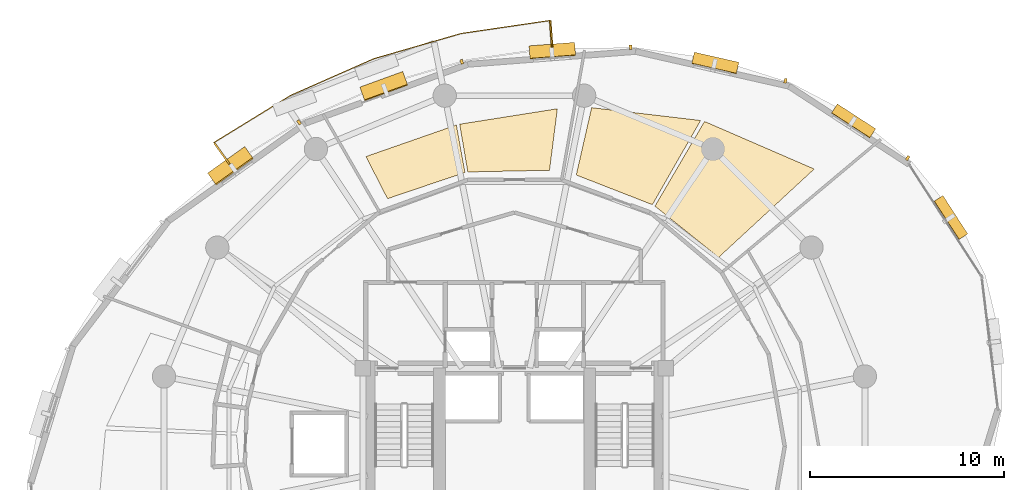
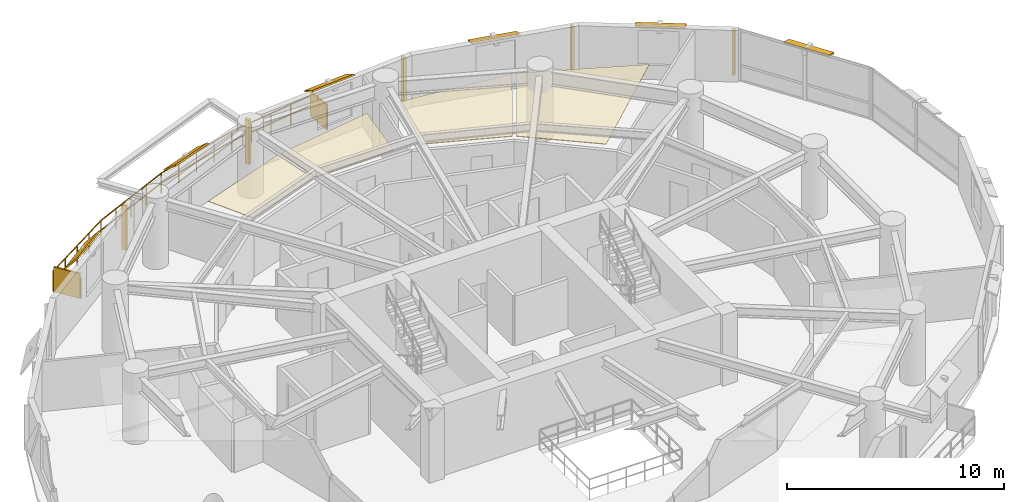
# One storey, part 15 of 15: 13 shading devices, 4 coverings, 1 railing.
"""IFC4 building model written with IfcOpenShell, lengths in metres."""

import ifcopenshell
import ifcopenshell.guid

model = None  # the IFC model being written
_history = None  # IfcOwnerHistory: only IFC2X3 demands one
_inside = {}  # id of a spatial element -> (the spatial element, [elements in it])
_under = {}  # id of a project, library or spatial element -> (it, [spatial elements below it])
_declared = {}  # id of a project -> (the project, [libraries it declares])
_typed = {}  # id of a type object -> (the type object, [elements of that type])
_made_of = {}  # id of a material, layer set ... -> (it, [elements and type objects made of it])


def new_model(schema):
    """Start an empty IFC model of exactly this schema.

    Asked for "IFC4X3", IfcOpenShell would pick the latest addendum, in which some entities
    have other attributes; the version numbers below select the first issue.
    IFC2X3 requires an IfcOwnerHistory on every rooted entity: one is made here for all.
    """
    global model, _history
    if schema == "IFC4X3":
        model = ifcopenshell.file(schema_version=(4, 3, 0, 0))
    else:
        model = ifcopenshell.file(schema=schema)
    _inside.clear()
    _under.clear()
    _declared.clear()
    _typed.clear()
    _made_of.clear()
    _history = None
    if model.schema == "IFC2X3":
        org = make("IfcOrganization", Name="unknown")
        user = make(
            "IfcPersonAndOrganization",
            ThePerson=make("IfcPerson", FamilyName="unknown"),
            TheOrganization=org,
        )
        app = make(
            "IfcApplication",
            ApplicationDeveloper=org,
            Version="unknown",
            ApplicationFullName="unknown",
            ApplicationIdentifier="unknown",
        )
        _history = make(
            "IfcOwnerHistory",
            OwningUser=user,
            OwningApplication=app,
            ChangeAction="ADDED",
            CreationDate=0,
        )
    return model


def make(cls, **values):
    """One entity of the class cls with the attributes given. An attribute that is None is left unset."""
    return model.create_entity(
        cls, **{name: value for name, value in values.items() if value is not None}
    )


def rooted(cls, **values):
    """An entity with a GlobalId (a new one), such as an element, a storey or a relation."""
    return make(cls, GlobalId=ifcopenshell.guid.new(), OwnerHistory=_history, **values)


def si_unit(unit_type, name, prefix=None):
    """IfcSIUnit, for example si_unit("LENGTHUNIT", "METRE", prefix="MILLI")."""
    return make("IfcSIUnit", UnitType=unit_type, Prefix=prefix, Name=name)


def assignment(units):
    """IfcUnitAssignment: the units of a project."""
    return None if units is None else make("IfcUnitAssignment", Units=units)


def point(xyz):
    """IfcCartesianPoint."""
    return None if xyz is None else make("IfcCartesianPoint", Coordinates=xyz)


def direction(xyz):
    """IfcDirection."""
    return None if xyz is None else make("IfcDirection", DirectionRatios=xyz)


def frame(location, z_axis=None, x_axis=None):
    """IfcAxis2Placement3D, a coordinate frame: its origin and axes. An axis left out is left unset."""
    return make(
        "IfcAxis2Placement3D",
        Location=point(location),
        Axis=direction(z_axis),
        RefDirection=direction(x_axis),
    )


def frame_2d(location, x_axis=None):
    """IfcAxis2Placement2D, a coordinate frame in the plane: its origin and x axis."""
    return make(
        "IfcAxis2Placement2D", Location=point(location), RefDirection=direction(x_axis)
    )


def origin():
    """The frame at (0, 0, 0) with its axes left unset."""
    return frame((0.0, 0.0, 0.0))


def origin_2d():
    """The frame at (0, 0) in the plane with its x axis left unset."""
    return frame_2d((0.0, 0.0))


def place(relative_to, where):
    """IfcLocalPlacement: puts the frame where relative to a parent placement (None: the world)."""
    return make(
        "IfcLocalPlacement", PlacementRelTo=relative_to, RelativePlacement=where
    )


def context(
    kind, dimensions, precision=None, world=None, true_north=None, identifier=None
):
    """IfcGeometricRepresentationContext, for example the 3D "Model" context."""
    return make(
        "IfcGeometricRepresentationContext",
        ContextIdentifier=identifier,
        ContextType=kind,
        CoordinateSpaceDimension=dimensions,
        Precision=precision,
        WorldCoordinateSystem=world,
        TrueNorth=true_north,
    )


def subcontext(parent, identifier, kind, view, scale=None):
    """IfcGeometricRepresentationSubContext, for example "Body" below "Model"."""
    return make(
        "IfcGeometricRepresentationSubContext",
        ContextIdentifier=identifier,
        ContextType=kind,
        ParentContext=parent,
        TargetScale=scale,
        TargetView=view,
    )


def project(units=None, contexts=None):
    """IfcProject with its units and contexts."""
    return rooted(
        "IfcProject",
        Name="project",
        RepresentationContexts=contexts,
        UnitsInContext=assignment(units),
    )


def spatial(cls, under=None, at=None, **own):
    """A site, building, storey or space (cls), placed at a placement, below another one or the project."""
    s = rooted(cls, ObjectPlacement=at, **own)
    if under is not None:
        _under.setdefault(under.id(), (under, []))[1].append(s)
    return s


def polyline(points):
    """IfcPolyline through the points."""
    return make("IfcPolyline", Points=[point(p) for p in points])


def profile(cls, at=None, kind="AREA", **sizes):
    """A parametric profile (cls). Its sizes go by their IFC names, for example OverallWidth=200.0."""
    return make(cls, ProfileType=kind, Position=at, **sizes)


def rectangle(**sizes):
    """IfcRectangleProfileDef."""
    return profile("IfcRectangleProfileDef", **sizes)


def outline(outer, holes=None, kind="AREA"):
    """IfcArbitraryClosedProfileDef: a profile drawn as a closed curve; with holes, ...WithVoids."""
    if holes is None:
        return make("IfcArbitraryClosedProfileDef", ProfileType=kind, OuterCurve=outer)
    return make(
        "IfcArbitraryProfileDefWithVoids",
        ProfileType=kind,
        OuterCurve=outer,
        InnerCurves=holes,
    )


def extrude(swept, where, along, depth):
    """IfcExtrudedAreaSolid: the profile swept, set in the frame where, extruded along a direction by depth."""
    return make(
        "IfcExtrudedAreaSolid",
        SweptArea=swept,
        Position=where,
        ExtrudedDirection=direction(along),
        Depth=depth,
    )


def shape(context_of_items, identifier, shape_type, items):
    """IfcShapeRepresentation: the items that make up one representation, for example the "Body"."""
    return make(
        "IfcShapeRepresentation",
        ContextOfItems=context_of_items,
        RepresentationIdentifier=identifier,
        RepresentationType=shape_type,
        Items=items,
    )


def material(Name=None, Category=None):
    """IfcMaterial."""
    return make("IfcMaterial", Name=Name, Category=Category)


def layer(
    of_material, thickness, ventilated=None, Name=None, Category=None, Priority=None
):
    """IfcMaterialLayer: one layer of a wall or slab, of a material (None: an air gap)."""
    return make(
        "IfcMaterialLayer",
        Material=of_material,
        LayerThickness=thickness,
        IsVentilated=ventilated,
        Name=Name,
        Category=Category,
        Priority=Priority,
    )


def layer_set(layers, Name=None):
    """IfcMaterialLayerSet."""
    return make("IfcMaterialLayerSet", MaterialLayers=layers, LayerSetName=Name)


def made_of(thing, what):
    """Note that an element or type object is made of a material, layer set ...; save() writes the relation."""
    if what is not None:
        _made_of.setdefault(what.id(), (what, []))[1].append(thing)
    return thing


def type_object(cls, material=None, **own):
    """A type object (cls), such as IfcWallType, which elements share."""
    return made_of(rooted(cls, **own), material)


def element(
    cls,
    number,
    at=None,
    inside=None,
    cuts=None,
    type_object=None,
    material=None,
    context=None,
    identifier="Body",
    shape_type=None,
    held_by="IfcProductDefinitionShape",
    body=None,
    shapes=None,
    **own,
):
    """One element of the class cls, such as IfcWall. Its Tag is "e" and its number.

    at: its placement. inside: the storey or other place that contains it. cuts: it is an
    opening in that element (IfcRelVoidsElement). A single representation is given by context,
    identifier, shape_type and body (its items); several are given by shapes. held_by: the class
    of the entity that holds the representations. save() writes the other relations.
    """
    e = rooted(cls, Tag="e%d" % number, ObjectPlacement=at, **own)
    if body is not None:
        shapes = [shape(context, identifier, shape_type, body)]
    if shapes is not None:
        e.Representation = make(held_by, Representations=shapes)
    if inside is not None:
        _inside.setdefault(inside.id(), (inside, []))[1].append(e)
    if cuts is not None:
        rooted(
            "IfcRelVoidsElement", RelatingBuildingElement=cuts, RelatedOpeningElement=e
        )
    if type_object is not None:
        _typed.setdefault(type_object.id(), (type_object, []))[1].append(e)
    return made_of(e, material)


def aggregate(whole, parts):
    """IfcRelAggregates: a whole, such as a stair, and the parts it consists of."""
    return rooted("IfcRelAggregates", RelatingObject=whole, RelatedObjects=parts)


def save(model, path):
    """Write the relations noted so far, then the file.

    IfcRelAggregates (storeys below a building ...), IfcRelContainedInSpatialStructure (elements
    in a storey), IfcRelDefinesByType, IfcRelAssociatesMaterial and IfcRelDeclares: one each for
    every whole, place, type object, material and project.
    """
    for whole, parts in _under.values():
        aggregate(whole, parts)
    for where, things in _inside.values():
        rooted(
            "IfcRelContainedInSpatialStructure",
            RelatedElements=things,
            RelatingStructure=where,
        )
    for kind, things in _typed.values():
        rooted("IfcRelDefinesByType", RelatedObjects=things, RelatingType=kind)
    for what, things in _made_of.values():
        rooted("IfcRelAssociatesMaterial", RelatedObjects=things, RelatingMaterial=what)
    for by, libraries in _declared.values():
        rooted("IfcRelDeclares", RelatingContext=by, RelatedDefinitions=libraries)
    model.write(path)


model = new_model("IFC4")

# Units and contexts
model_context = context("Model", 3, precision=1e-05, world=origin(), true_north=direction((0.0, 1.0)))
body_context = subcontext(model_context, "Body", "Model", "MODEL_VIEW")
ifc_project = project(units=[si_unit("LENGTHUNIT", "METRE"), si_unit("AREAUNIT", "SQUARE_METRE"), si_unit("VOLUMEUNIT", "CUBIC_METRE"), si_unit("PLANEANGLEUNIT", "RADIAN"), si_unit("MASSUNIT", "GRAM", prefix="KILO"), si_unit("THERMODYNAMICTEMPERATUREUNIT", "KELVIN"), si_unit("POWERUNIT", "WATT")], contexts=[model_context])

# Site, building, storey
site_placement = place(None, origin())
site = spatial("IfcSite", under=ifc_project, at=site_placement, CompositionType="ELEMENT")
building_placement = place(site_placement, origin())
building = spatial("IfcBuilding", under=site, at=building_placement, Name="Ocrelia Relay Tower", CompositionType="ELEMENT")
storey_placement = place(building_placement, frame((0.0, 0.0, 117.800048828125)))
storey = spatial("IfcBuildingStorey", under=building, at=storey_placement, Name="L27", CompositionType="ELEMENT", Elevation=117.800048828125)

# Coverings
ifc_material_1 = material(Name="Mineral-fiber acoustic ceiling tile", Category="gypsum")
ifc_layer_1 = layer(ifc_material_1, 0.0400390625, Name="Mineral-fiber acoustic ceiling tile")
ifc_layer_set_1 = layer_set([ifc_layer_1], Name="Mineral-fiber acoustic ceiling tile")
covering_type_1 = type_object("IfcCoveringType", Name="COV-CEIL-ACOUSTIC", PredefinedType="CEILING", material=ifc_layer_set_1)
covering_1_placement = place(storey_placement, frame((0.0, 0.0, 2.719970703125)))
element("IfcCovering", 1, at=covering_1_placement, inside=storey, type_object=covering_type_1, Name="L27 Technical Briefing Room Suspended Ceiling 1", PredefinedType="CEILING", context=body_context, shape_type="SweptSolid", body=[
    extrude(outline(polyline([(44.515380859375, 35.720458984375), (49.43701171875, 40.269775390625), (43.789306640625, 42.71875), (41.235595703125, 38.357421875), (44.515380859375, 35.720458984375)])), origin(), (0.0, 0.0, 1.0), 0.0400390625),
])
covering_2_placement = place(storey_placement, frame((0.0, 0.0, 2.719970703125)))
element("IfcCovering", 2, at=covering_2_placement, inside=storey, type_object=covering_type_1, Name="L27 Technical Briefing Room Suspended Ceiling 2", PredefinedType="CEILING", context=body_context, shape_type="SweptSolid", body=[
    extrude(outline(polyline([(41.105712890625, 38.4326171875), (43.584716796875, 42.77001953125), (37.975830078125, 43.4296875), (37.184814453125, 39.96142578125), (41.105712890625, 38.4326171875)])), origin(), (0.0, 0.0, 1.0), 0.0400390625),
])
ifc_material_2 = material(Name="Cleanroom metal-pan acoustic ceiling", Category="aluminium")
ifc_layer_2 = layer(ifc_material_2, 0.0400390625, Name="Cleanroom metal-pan acoustic ceiling")
ifc_layer_set_2 = layer_set([ifc_layer_2], Name="Cleanroom metal-pan acoustic ceiling")
covering_type_2 = type_object("IfcCoveringType", Name="COV-CEIL-CLEAN", PredefinedType="CEILING", material=ifc_layer_set_2)
covering_3_placement = place(storey_placement, frame((0.0, 0.0, 2.719970703125)))
element("IfcCovering", 3, at=covering_3_placement, inside=storey, type_object=covering_type_2, Name="L27 Photonics Testing Studio Suspended Ceiling 1", PredefinedType="CEILING", context=body_context, shape_type="SweptSolid", body=[
    extrude(outline(polyline([(35.80712890625, 40.20556640625), (36.210205078125, 43.373046875), (31.180908203125, 42.5791015625), (31.599609375, 40.117431640625), (35.80712890625, 40.20556640625)])), origin(), (0.0, 0.0, 1.0), 0.0400390625),
])
covering_4_placement = place(storey_placement, frame((0.0, 0.0, 2.719970703125)))
element("IfcCovering", 4, at=covering_4_placement, inside=storey, type_object=covering_type_2, Name="L27 Photonics Testing Studio Suspended Ceiling 2", PredefinedType="CEILING", context=body_context, shape_type="SweptSolid", body=[
    extrude(outline(polyline([(31.451904296875, 40.091552734375), (31.010009765625, 42.53564453125), (26.353271484375, 40.910888671875), (27.465576171875, 38.7421875), (31.451904296875, 40.091552734375)])), origin(), (0.0, 0.0, 1.0), 0.0400390625),
])

# Railing
ifc_material_3 = material(Name="Steel S355 balustrade", Category="steel")
railing_type = type_object("IfcRailingType", Name="RL-EXT-GUARD-1150", PredefinedType="GUARDRAIL", material=ifc_material_3)
railing_placement = place(storey_placement, frame((19.339599609375, 40.503173828125, 0.0)))
element("IfcRailing", 5, at=railing_placement, inside=storey, type_object=railing_type, Name="L27 Loggia Balcony Guard Rail B1", PredefinedType="GUARDRAIL", context=body_context, shape_type="SweptSolid", body=[
    extrude(rectangle(XDim=0.048095703125, YDim=0.048095703125, at=origin_2d()), frame((0.0, 0.0, 1.1259765625), z_axis=(-0.582248799217, 0.81301066156, 0.0), x_axis=(-0.81301066156, -0.582248799217, 0.0)), (0.0, 0.0, 1.0), 1.393310546875),
    extrude(rectangle(XDim=0.048095703125, YDim=0.048095703125, at=origin_2d()), frame((0.0, 0.0, 0.574951171875), z_axis=(-0.582248799217, 0.81301066156, 0.0), x_axis=(-0.81301066156, -0.582248799217, 0.0)), (0.0, 0.0, 1.0), 1.393310546875),
    extrude(rectangle(XDim=0.048095703125, YDim=0.048095703125, at=origin_2d()), frame((-0.811279296875, 1.1328125, 1.1259765625), z_axis=(0.852012843075, 0.523520883285, 0.0), x_axis=(-0.523520883285, 0.852012843075, 0.0)), (0.0, 0.0, 1.0), 2.31591796875),
    extrude(rectangle(XDim=0.048095703125, YDim=0.048095703125, at=origin_2d()), frame((-0.811279296875, 1.1328125, 0.574951171875), z_axis=(0.852012843075, 0.523520883285, 0.0), x_axis=(-0.523520883285, 0.852012843075, 0.0)), (0.0, 0.0, 1.0), 2.31591796875),
    extrude(rectangle(XDim=0.048095703125, YDim=0.048095703125, at=origin_2d()), frame((1.161865234375, 2.34521484375, 1.1259765625), z_axis=(0.851983946003, 0.523567909399, 0.0), x_axis=(-0.523567909399, 0.851983946003, 0.0)), (0.0, 0.0, 1.0), 2.315673828125),
    extrude(rectangle(XDim=0.048095703125, YDim=0.048095703125, at=origin_2d()), frame((1.161865234375, 2.34521484375, 0.574951171875), z_axis=(0.851983946003, 0.523567909399, 0.0), x_axis=(-0.523567909399, 0.851983946003, 0.0)), (0.0, 0.0, 1.0), 2.315673828125),
    extrude(rectangle(XDim=0.048095703125, YDim=0.048095703125, at=origin_2d()), frame((3.134765625, 3.5576171875, 1.1259765625), z_axis=(0.91500952889, 0.403432227321, 0.0), x_axis=(-0.403432227321, 0.91500952889, 0.0)), (0.0, 0.0, 1.0), 4.68212890625),
    extrude(rectangle(XDim=0.048095703125, YDim=0.048095703125, at=origin_2d()), frame((3.134765625, 3.5576171875, 0.574951171875), z_axis=(0.91500952889, 0.403432227321, 0.0), x_axis=(-0.403432227321, 0.91500952889, 0.0)), (0.0, 0.0, 1.0), 4.68212890625),
    extrude(rectangle(XDim=0.048095703125, YDim=0.048095703125, at=origin_2d()), frame((7.4189453125, 5.446533203125, 1.1259765625), z_axis=(0.960738895965, 0.277454093103, 0.0), x_axis=(-0.277454093103, 0.960738895965, 0.0)), (0.0, 0.0, 1.0), 4.68212890625),
    extrude(rectangle(XDim=0.048095703125, YDim=0.048095703125, at=origin_2d()), frame((7.4189453125, 5.446533203125, 0.574951171875), z_axis=(0.960738895965, 0.277454093103, 0.0), x_axis=(-0.277454093103, 0.960738895965, 0.0)), (0.0, 0.0, 1.0), 4.68212890625),
    extrude(rectangle(XDim=0.048095703125, YDim=0.048095703125, at=origin_2d()), frame((11.917236328125, 6.74560546875, 1.1259765625), z_axis=(0.989454432254, 0.144844490722, 0.0), x_axis=(-0.144844490722, 0.989454432254, 0.0)), (0.0, 0.0, 1.0), 2.31591796875),
    extrude(rectangle(XDim=0.048095703125, YDim=0.048095703125, at=origin_2d()), frame((11.917236328125, 6.74560546875, 0.574951171875), z_axis=(0.989454432254, 0.144844490722, 0.0), x_axis=(-0.144844490722, 0.989454432254, 0.0)), (0.0, 0.0, 1.0), 2.31591796875),
    extrude(rectangle(XDim=0.048095703125, YDim=0.048095703125, at=origin_2d()), frame((14.208740234375, 7.0810546875, 1.1259765625), z_axis=(0.989452220244, 0.144859600492, 0.0), x_axis=(-0.144859600492, 0.989452220244, 0.0)), (0.0, 0.0, 1.0), 2.315673828125),
    extrude(rectangle(XDim=0.048095703125, YDim=0.048095703125, at=origin_2d()), frame((14.208740234375, 7.0810546875, 0.574951171875), z_axis=(0.989452220244, 0.144859600492, 0.0), x_axis=(-0.144859600492, 0.989452220244, 0.0)), (0.0, 0.0, 1.0), 2.315673828125),
    extrude(rectangle(XDim=0.048095703125, YDim=0.048095703125, at=origin_2d()), frame((16.5, 7.41650390625, 1.1259765625), z_axis=(0.074994679968, -0.997183933874, 0.0), x_axis=(0.997183933874, 0.074994679968, 0.0)), (0.0, 0.0, 1.0), 1.393310546875),
    extrude(rectangle(XDim=0.048095703125, YDim=0.048095703125, at=origin_2d()), frame((16.5, 7.41650390625, 0.574951171875), z_axis=(0.074994679968, -0.997183933874, 0.0), x_axis=(0.997183933874, 0.074994679968, 0.0)), (0.0, 0.0, 1.0), 1.393310546875),
    extrude(rectangle(XDim=0.0419921875, YDim=0.0419921875, at=origin_2d()), origin(), (0.0, 0.0, 1.0), 1.101806640625),
    extrude(rectangle(XDim=0.0419921875, YDim=0.0419921875, at=origin_2d()), frame((-0.40576171875, 0.56640625, 0.0)), (0.0, 0.0, 1.0), 1.101806640625),
    extrude(rectangle(XDim=0.0419921875, YDim=0.0419921875, at=origin_2d()), frame((-0.811279296875, 1.1328125, 0.0)), (0.0, 0.0, 1.0), 1.101806640625),
    extrude(rectangle(XDim=0.0419921875, YDim=0.0419921875, at=origin_2d()), frame((0.17529296875, 1.739013671875, 0.0)), (0.0, 0.0, 1.0), 1.101806640625),
    extrude(rectangle(XDim=0.0419921875, YDim=0.0419921875, at=origin_2d()), frame((1.161865234375, 2.34521484375, 0.0)), (0.0, 0.0, 1.0), 1.101806640625),
    extrude(rectangle(XDim=0.0419921875, YDim=0.0419921875, at=origin_2d()), frame((2.1484375, 2.951416015625, 0.0)), (0.0, 0.0, 1.0), 1.101806640625),
    extrude(rectangle(XDim=0.0419921875, YDim=0.0419921875, at=origin_2d()), frame((3.134765625, 3.5576171875, 0.0)), (0.0, 0.0, 1.0), 1.101806640625),
    extrude(rectangle(XDim=0.0419921875, YDim=0.0419921875, at=origin_2d()), frame((4.205810546875, 4.02978515625, 0.0)), (0.0, 0.0, 1.0), 1.101806640625),
    extrude(rectangle(XDim=0.0419921875, YDim=0.0419921875, at=origin_2d()), frame((5.27685546875, 4.501953125, 0.0)), (0.0, 0.0, 1.0), 1.101806640625),
    extrude(rectangle(XDim=0.0419921875, YDim=0.0419921875, at=origin_2d()), frame((6.347900390625, 4.974365234375, 0.0)), (0.0, 0.0, 1.0), 1.101806640625),
    extrude(rectangle(XDim=0.0419921875, YDim=0.0419921875, at=origin_2d()), frame((7.4189453125, 5.446533203125, 0.0)), (0.0, 0.0, 1.0), 1.101806640625),
    extrude(rectangle(XDim=0.0419921875, YDim=0.0419921875, at=origin_2d()), frame((8.54345703125, 5.771240234375, 0.0)), (0.0, 0.0, 1.0), 1.101806640625),
    extrude(rectangle(XDim=0.0419921875, YDim=0.0419921875, at=origin_2d()), frame((9.66796875, 6.09619140625, 0.0)), (0.0, 0.0, 1.0), 1.101806640625),
    extrude(rectangle(XDim=0.0419921875, YDim=0.0419921875, at=origin_2d()), frame((10.792724609375, 6.4208984375, 0.0)), (0.0, 0.0, 1.0), 1.101806640625),
    extrude(rectangle(XDim=0.0419921875, YDim=0.0419921875, at=origin_2d()), frame((11.917236328125, 6.74560546875, 0.0)), (0.0, 0.0, 1.0), 1.101806640625),
    extrude(rectangle(XDim=0.0419921875, YDim=0.0419921875, at=origin_2d()), frame((13.06298828125, 6.913330078125, 0.0)), (0.0, 0.0, 1.0), 1.101806640625),
    extrude(rectangle(XDim=0.0419921875, YDim=0.0419921875, at=origin_2d()), frame((14.208740234375, 7.0810546875, 0.0)), (0.0, 0.0, 1.0), 1.101806640625),
    extrude(rectangle(XDim=0.0419921875, YDim=0.0419921875, at=origin_2d()), frame((15.3544921875, 7.248779296875, 0.0)), (0.0, 0.0, 1.0), 1.101806640625),
    extrude(rectangle(XDim=0.0419921875, YDim=0.0419921875, at=origin_2d()), frame((16.5, 7.41650390625, 0.0)), (0.0, 0.0, 1.0), 1.101806640625),
    extrude(rectangle(XDim=0.0419921875, YDim=0.0419921875, at=origin_2d()), frame((16.55224609375, 6.7216796875, 0.0)), (0.0, 0.0, 1.0), 1.101806640625),
    extrude(rectangle(XDim=0.0419921875, YDim=0.0419921875, at=origin_2d()), frame((16.6044921875, 6.027099609375, 0.0)), (0.0, 0.0, 1.0), 1.101806640625),
])

# Shading devices
ifc_material_4 = material(Name="Perforated oxide terracotta solar screen", Category="masonry")
ifc_layer_3 = layer(ifc_material_4, 0.090087890625, Name="Perforated oxide terracotta solar screen")
ifc_layer_set_3 = layer_set([ifc_layer_3], Name="Perforated oxide terracotta solar screen")
shading_device_type_1 = type_object("IfcShadingDeviceType", Name="SH-BALC-SCREEN", PredefinedType="USERDEFINED", material=ifc_layer_set_3)
for number, where, z_axis, x_axis, name in (
    (6, (35.891845703125, 47.224853515625, 0.0), (0.0, 0.0, 1.0), (-0.07485239248, 0.997194624604, 0.0), "L27 Balcony Perforated Terracotta Screen B1-1"),
    (7, (18.93408203125, 41.069580078125, 0.0), (0.0, 0.0, 1.0), (-0.582228894478, 0.813024916245, 0.0), "L27 Balcony Perforated Terracotta Screen B1-2"),
):
    element("IfcShadingDevice", number, at=place(storey_placement, frame(where, z_axis=z_axis, x_axis=x_axis)), inside=storey, type_object=shading_device_type_1, Name=name, ObjectType="SCREEN", PredefinedType="USERDEFINED", context=body_context, shape_type="SweptSolid", body=[
        extrude(rectangle(XDim=1.340087890625, YDim=0.090087890625, at=origin_2d()), origin(), (0.0, 0.0, 1.0), 1.39990234375),
    ])
ifc_material_5 = material(Name="Extruded oxide terracotta vertical baguette", Category="masonry")
shading_device_type_2 = type_object("IfcShadingDeviceType", Name="SH-TERR-BAGUETTE", PredefinedType="USERDEFINED", material=ifc_material_5)
for number, where, z_axis, x_axis, name in (
    (8, (54.24951171875, 40.8330078125, 0.199951171875), (0.0, 0.0, 1.0), (-0.83838172207, 0.545083560657, 0.0), "L27 Oxide Terracotta Vertical Baguette 02"),
    (9, (47.9521484375, 44.811279296875, 0.199951171875), (0.0, 0.0, 1.0), (-0.975271968475, 0.221008116382, 0.0), "L27 Oxide Terracotta Vertical Baguette 03"),
    (10, (39.9833984375, 46.533935546875, 0.199951171875), (0.0, 0.0, 1.0), (-0.997080877714, -0.076352624688, 0.0), "L27 Oxide Terracotta Vertical Baguette 04"),
    (11, (31.28857421875, 45.794921875, 0.199951171875), (0.0, 0.0, 1.0), (-0.939991290594, -0.341198437287, 0.0), "L27 Oxide Terracotta Vertical Baguette 05"),
    (12, (22.906494140625, 42.675048828125, 0.199951171875), (0.0, 0.0, 1.0), (-0.813895483683, -0.581011309391, 0.0), "L27 Oxide Terracotta Vertical Baguette 06"),
):
    element("IfcShadingDevice", number, at=place(storey_placement, frame(where, z_axis=z_axis, x_axis=x_axis)), inside=storey, type_object=shading_device_type_2, Name=name, ObjectType="BAGUETTE", PredefinedType="USERDEFINED", context=body_context, shape_type="SweptSolid", body=[
        extrude(rectangle(XDim=0.139892578125, YDim=0.239990234375, at=origin_2d()), origin(), (0.0, 0.0, 1.0), 2.5),
    ])
ifc_material_6 = material(Name="Extruded oxide terracotta fin", Category="masonry")
ifc_layer_4 = layer(ifc_material_6, 0.080078125, Name="Extruded oxide terracotta fin")
ifc_layer_set_4 = layer_set([ifc_layer_4], Name="Extruded oxide terracotta fin")
shading_device_type_3 = type_object("IfcShadingDeviceType", Name="SH-VISOR-FIN-MED", PredefinedType="USERDEFINED", material=ifc_layer_set_4)
shading_device_1_placement = place(storey_placement, frame((27.281005859375, 44.510986328125, 2.709228515625), z_axis=(-0.218815923594, 0.60283119717, 0.767277094211), x_axis=(-0.939991290594, -0.341198437287, 0.0)))
element("IfcShadingDevice", 13, at=shading_device_1_placement, inside=storey, type_object=shading_device_type_3, Name="L27 Canted Terracotta Sun-Visor Fin 05", ObjectType="FIN", PredefinedType="USERDEFINED", context=body_context, shape_type="SweptSolid", body=[
    extrude(rectangle(XDim=2.35009765625, YDim=0.9150390625, at=origin_2d()), origin(), (0.0, 0.0, 1.0), 0.080078125),
])
shading_device_2_placement = place(storey_placement, frame((19.39306640625, 40.408935546875, 2.71435546875), z_axis=(-0.447418245556, 0.626754907331, 0.637961754089), x_axis=(-0.813895483683, -0.581011309391, 0.0)))
element("IfcShadingDevice", 14, at=shading_device_2_placement, inside=storey, type_object=shading_device_type_3, Name="L27 Canted Terracotta Sun-Visor Fin 06", ObjectType="FIN", PredefinedType="USERDEFINED", context=body_context, shape_type="SweptSolid", body=[
    extrude(rectangle(XDim=2.35009765625, YDim=1.089111328125, at=origin_2d()), origin(), (0.0, 0.0, 1.0), 0.080078125),
])
ifc_layer_5 = layer(ifc_material_6, 0.080078125, Name="Extruded oxide terracotta fin")
ifc_layer_set_5 = layer_set([ifc_layer_5], Name="Extruded oxide terracotta fin")
shading_device_type_4 = type_object("IfcShadingDeviceType", Name="SH-VISOR-FIN-SHAL", PredefinedType="USERDEFINED", material=ifc_layer_set_5)
shading_device_3_placement = place(storey_placement, frame((56.462158203125, 37.7607421875, 2.701904296875), z_axis=(0.259818563709, 0.168207616187, 0.950894585014), x_axis=(-0.543455591745, 0.839437918968, 0.0)))
element("IfcShadingDevice", 15, at=shading_device_3_placement, inside=storey, type_object=shading_device_type_4, Name="L27 Canted Terracotta Sun-Visor Fin 01", ObjectType="FIN", PredefinedType="USERDEFINED", context=body_context, shape_type="SweptSolid", body=[
    extrude(rectangle(XDim=2.35009765625, YDim=0.550048828125, at=origin_2d()), origin(), (0.0, 0.0, 1.0), 0.080078125),
])
shading_device_4_placement = place(storey_placement, frame((51.453857421875, 42.73193359375, 2.7021484375), z_axis=(0.179978373996, 0.276821005103, 0.943916265369), x_axis=(-0.83838172207, 0.545083560657, 0.0)))
element("IfcShadingDevice", 16, at=shading_device_4_placement, inside=storey, type_object=shading_device_type_4, Name="L27 Canted Terracotta Sun-Visor Fin 02", ObjectType="FIN", PredefinedType="USERDEFINED", context=body_context, shape_type="SweptSolid", body=[
    extrude(rectangle(XDim=2.35009765625, YDim=0.571044921875, at=origin_2d()), origin(), (0.0, 0.0, 1.0), 0.080078125),
])
shading_device_5_placement = place(storey_placement, frame((44.3408203125, 45.711669921875, 2.703125), z_axis=(0.086070612144, 0.379815260668, 0.921049519564), x_axis=(-0.975271968475, 0.221008116382, 0.0)))
element("IfcShadingDevice", 17, at=shading_device_5_placement, inside=storey, type_object=shading_device_type_4, Name="L27 Canted Terracotta Sun-Visor Fin 03", ObjectType="FIN", PredefinedType="USERDEFINED", context=body_context, shape_type="SweptSolid", body=[
    extrude(rectangle(XDim=2.35009765625, YDim=0.632080078125, at=origin_2d()), origin(), (0.0, 0.0, 1.0), 0.080078125),
])
shading_device_6_placement = place(storey_placement, frame((35.953125, 46.339599609375, 2.705322265625), z_axis=(-0.037979952772, 0.49597619991, 0.867505119472), x_axis=(-0.997080877714, -0.076352624688, 0.0)))
element("IfcShadingDevice", 18, at=shading_device_6_placement, inside=storey, type_object=shading_device_type_4, Name="L27 Canted Terracotta Sun-Visor Fin 04", ObjectType="FIN", PredefinedType="USERDEFINED", context=body_context, shape_type="SweptSolid", body=[
    extrude(rectangle(XDim=2.35009765625, YDim=0.7470703125, at=origin_2d()), origin(), (0.0, 0.0, 1.0), 0.080078125),
])

save(model, "model.ifc")
